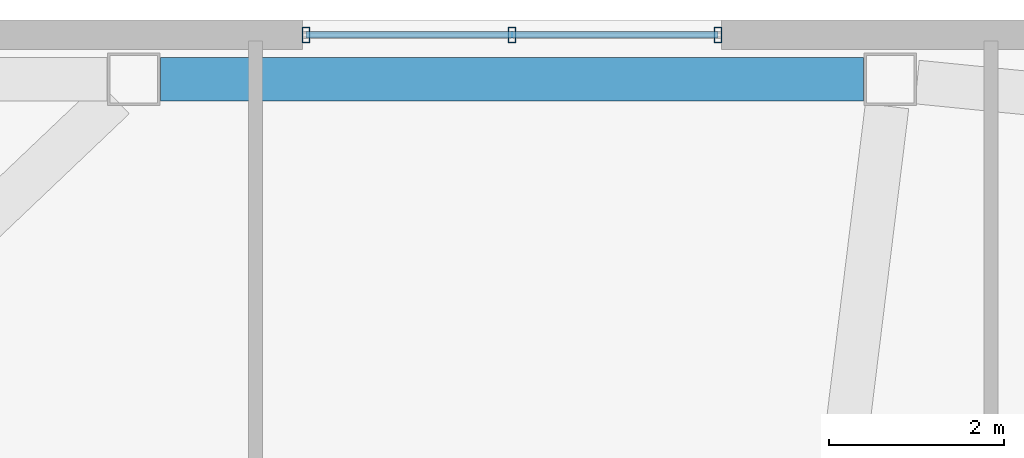
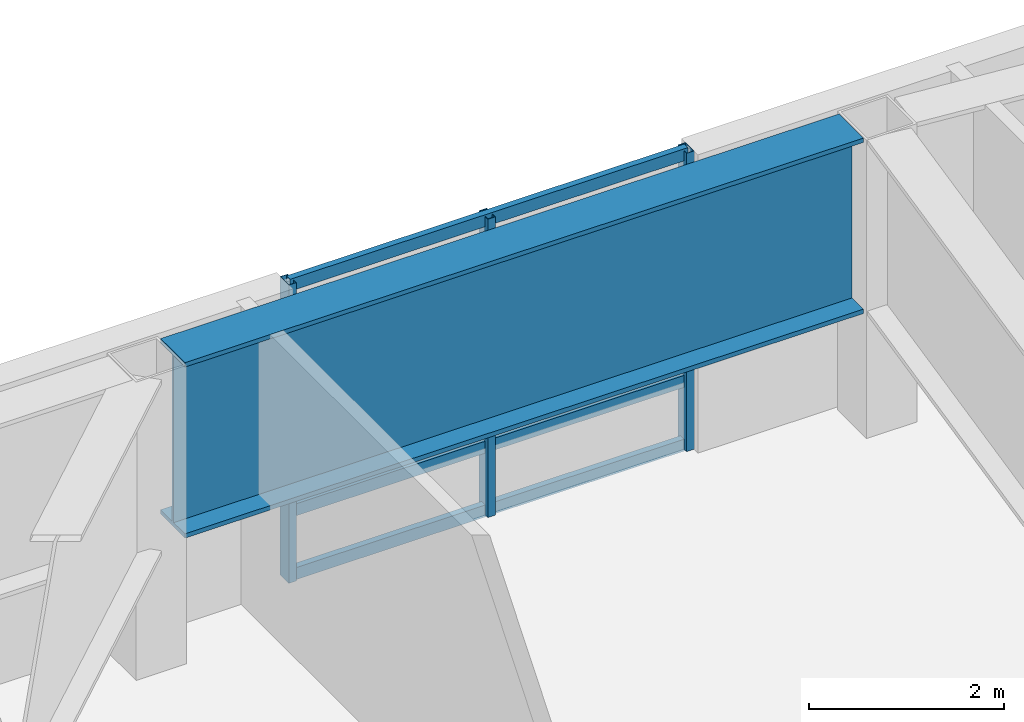
# One storey, part 6 of 18: 6 members, 1 beam, 1 element without a shape of its own.
"""IFC4 building model written with IfcOpenShell, lengths in metres."""

from ifc_helpers import new_model, si_unit, direction, frame, origin, origin_2d, place, context, subcontext, project, spatial, hollow_rectangle, i_section, extrude, material, layer, layer_set, material_profile, profile_set, type_object, element, aggregate, save


model = new_model("IFC4")

# Units and contexts
model_context = context("Model", 3, precision=1e-05, world=origin(), true_north=direction((0.0, 1.0)))
body_context = subcontext(model_context, "Body", "Model", "MODEL_VIEW")
ifc_project = project(units=[si_unit("LENGTHUNIT", "METRE"), si_unit("AREAUNIT", "SQUARE_METRE"), si_unit("VOLUMEUNIT", "CUBIC_METRE"), si_unit("PLANEANGLEUNIT", "RADIAN"), si_unit("MASSUNIT", "GRAM", prefix="KILO")], contexts=[model_context])

# Site, building, storey
site_placement = place(None, origin())
site = spatial("IfcSite", under=ifc_project, at=site_placement, CompositionType="ELEMENT")
building_placement = place(site_placement, origin())
building = spatial("IfcBuilding", under=site, at=building_placement, Name="Tavrogorsk Clinical Tower", CompositionType="ELEMENT")
storey_placement = place(building_placement, frame((0.0, 0.0, 152.199951171875)))
storey = spatial("IfcBuildingStorey", under=building, at=storey_placement, Name="L34", CompositionType="ELEMENT", Elevation=152.199951171875)

# Curtain wall, members
ifc_material_1 = material(Name="Anodised aluminium and triple IGU glazing", Category="aluminium")
ifc_layer = layer(ifc_material_1, 0.179931640625)
ifc_layer_set = layer_set([ifc_layer], Name="Anodised aluminium and triple IGU glazing")
curtain_wall_type = type_object("IfcCurtainWallType", Name="CW2_NorthSlot", PredefinedType="NOTDEFINED", material=ifc_layer_set)
curtain_wall_placement = place(storey_placement, origin())
curtain_wall = element("IfcCurtainWall", 1, at=curtain_wall_placement, inside=storey, type_object=curtain_wall_type, Name="L34 Curtain Wall CW-L34-N-SLOT-1", PredefinedType="NOTDEFINED")
ifc_material_2 = material(Name="Anodised aluminium alloy AW-6060", Category="aluminium")
ifc_material_profile_1 = material_profile(ifc_material_2, hollow_rectangle(XDim=0.090087890625, YDim=0.179931640625, WallThickness=0.00634765625, at=origin_2d()), Name="RHS-180x90x6.3")
ifc_profile_set_1 = profile_set([ifc_material_profile_1], Name="Anodised aluminium alloy AW-6060")
member_type_1 = type_object("IfcMemberType", Name="CwMullion_180x90", PredefinedType="MULLION", material=ifc_profile_set_1)
member_1_placement = place(storey_placement, frame((-3.90380859375, 26.929931640625, 0.0), z_axis=(0.0, 0.0, 1.0), x_axis=(-1.0, 0.0, 0.0)))
member_1 = element("IfcMember", 2, at=member_1_placement, type_object=member_type_1, Name="CW-L34-N-SLOT-1 Mullion 1", PredefinedType="MULLION", context=body_context, shape_type="SweptSolid", body=[
    extrude(hollow_rectangle(XDim=0.090087890625, YDim=0.179931640625, WallThickness=0.00634765625, at=origin_2d()), origin(), (0.0, 0.0, 1.0), 3.739990234375),
])
member_2_placement = place(storey_placement, frame((-6.262939453125, 26.929931640625, 0.0), z_axis=(0.0, 0.0, 1.0), x_axis=(-1.0, 0.0, 0.0)))
member_2 = element("IfcMember", 3, at=member_2_placement, type_object=member_type_1, Name="CW-L34-N-SLOT-1 Mullion 2", PredefinedType="MULLION", context=body_context, shape_type="SweptSolid", body=[
    extrude(hollow_rectangle(XDim=0.090087890625, YDim=0.179931640625, WallThickness=0.00634765625, at=origin_2d()), origin(), (0.0, 0.0, 1.0), 3.739990234375),
])
member_3_placement = place(storey_placement, frame((-8.621826171875, 26.929931640625, 0.0), z_axis=(0.0, 0.0, 1.0), x_axis=(-1.0, 0.0, 0.0)))
member_3 = element("IfcMember", 4, at=member_3_placement, type_object=member_type_1, Name="CW-L34-N-SLOT-1 Mullion 3", PredefinedType="MULLION", context=body_context, shape_type="SweptSolid", body=[
    extrude(hollow_rectangle(XDim=0.090087890625, YDim=0.179931640625, WallThickness=0.00634765625, at=origin_2d()), origin(), (0.0, 0.0, 1.0), 3.739990234375),
])
ifc_material_3 = material(Name="Anodised aluminium alloy AW-6060", Category="aluminium")
ifc_material_profile_2 = material_profile(ifc_material_3, hollow_rectangle(XDim=0.074951171875, YDim=0.14990234375, WallThickness=0.0048828125, at=origin_2d()), Name="RHS-150x75x5")
ifc_profile_set_2 = profile_set([ifc_material_profile_2], Name="Anodised aluminium alloy AW-6060")
member_type_2 = type_object("IfcMemberType", Name="CwTransom_150x75", PredefinedType="USERDEFINED", material=ifc_profile_set_2)
member_4_placement = place(storey_placement, frame((-3.90380859375, 26.929931640625, 0.050048828125), z_axis=(-1.0, 0.0, 0.0), x_axis=(0.0, -1.0, 0.0)))
member_4 = element("IfcMember", 5, at=member_4_placement, type_object=member_type_2, Name="CW-L34-N-SLOT-1 Transom 1", ObjectType="TRANSOM", PredefinedType="USERDEFINED", context=body_context, shape_type="SweptSolid", body=[
    extrude(hollow_rectangle(XDim=0.074951171875, YDim=0.14990234375, WallThickness=0.0048828125, at=origin_2d()), origin(), (0.0, 0.0, 1.0), 4.718017578125),
])
member_5_placement = place(storey_placement, frame((-3.90380859375, 26.929931640625, 0.85009765625), z_axis=(-1.0, 0.0, 0.0), x_axis=(0.0, -1.0, 0.0)))
member_5 = element("IfcMember", 6, at=member_5_placement, type_object=member_type_2, Name="CW-L34-N-SLOT-1 Transom 2", ObjectType="TRANSOM", PredefinedType="USERDEFINED", context=body_context, shape_type="SweptSolid", body=[
    extrude(hollow_rectangle(XDim=0.074951171875, YDim=0.14990234375, WallThickness=0.0048828125, at=origin_2d()), origin(), (0.0, 0.0, 1.0), 4.718017578125),
])
member_6_placement = place(storey_placement, frame((-3.90380859375, 26.929931640625, 3.68994140625), z_axis=(-1.0, 0.0, 0.0), x_axis=(0.0, -1.0, 0.0)))
member_6 = element("IfcMember", 7, at=member_6_placement, type_object=member_type_2, Name="CW-L34-N-SLOT-1 Transom 3", ObjectType="TRANSOM", PredefinedType="USERDEFINED", context=body_context, shape_type="SweptSolid", body=[
    extrude(hollow_rectangle(XDim=0.074951171875, YDim=0.14990234375, WallThickness=0.0048828125, at=origin_2d()), origin(), (0.0, 0.0, 1.0), 4.718017578125),
])
aggregate(curtain_wall, [member_1, member_2, member_3, member_4, member_5, member_6])

# Beam
ifc_material_4 = material(Name="Structural steel S440", Category="steel")
ifc_material_profile_3 = material_profile(ifc_material_4, i_section(OverallWidth=0.5, OverallDepth=2.199951171875, WebThickness=0.035888671875, FlangeThickness=0.054931640625, at=origin_2d()), Name="DK-2200x500x36x55")
ifc_profile_set_3 = profile_set([ifc_material_profile_3], Name="Structural steel S440")
beam_type = type_object("IfcBeamType", Name="TransferGirder_DK2200", PredefinedType="USERDEFINED", material=ifc_profile_set_3)
beam_placement = place(storey_placement, frame((-2.239501953125, 26.419921875, 2.64013671875), z_axis=(-1.0, 0.0, 0.0), x_axis=(0.0, -1.0, 0.0)))
element("IfcBeam", 8, at=beam_placement, inside=storey, type_object=beam_type, Name="L34 Perimeter Spandrel N5-N6", ObjectType="GIRDER", PredefinedType="USERDEFINED", context=body_context, shape_type="SweptSolid", body=[
    extrude(i_section(OverallWidth=0.5, OverallDepth=2.199951171875, WebThickness=0.035888671875, FlangeThickness=0.054931640625, at=origin_2d()), origin(), (0.0, 0.0, 1.0), 8.046875),
])

save(model, "model.ifc")
